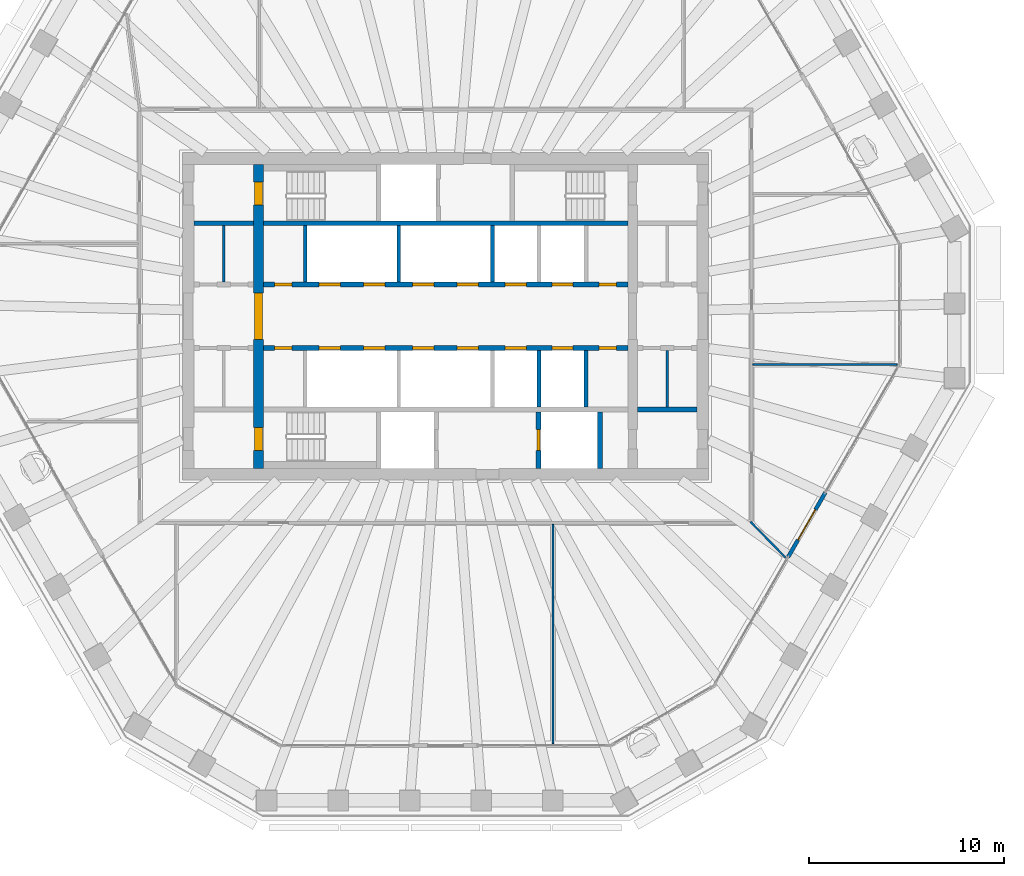
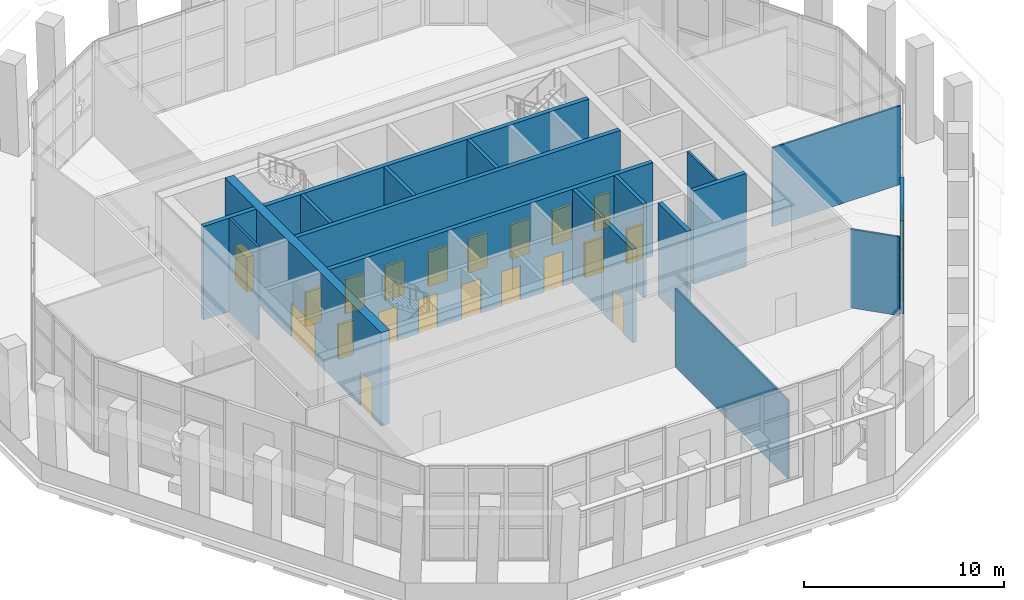
# One storey, part 13 of 19: 21 doors, 19 walls, 1 window, 22 openings.
"""IFC4 building model written with IfcOpenShell, lengths in metres."""

import ifcopenshell
import ifcopenshell.guid

model = None  # the IFC model being written
_history = None  # IfcOwnerHistory: only IFC2X3 demands one
_inside = {}  # id of a spatial element -> (the spatial element, [elements in it])
_under = {}  # id of a project, library or spatial element -> (it, [spatial elements below it])
_declared = {}  # id of a project -> (the project, [libraries it declares])
_typed = {}  # id of a type object -> (the type object, [elements of that type])
_made_of = {}  # id of a material, layer set ... -> (it, [elements and type objects made of it])


def new_model(schema):
    """Start an empty IFC model of exactly this schema.

    Asked for "IFC4X3", IfcOpenShell would pick the latest addendum, in which some entities
    have other attributes; the version numbers below select the first issue.
    IFC2X3 requires an IfcOwnerHistory on every rooted entity: one is made here for all.
    """
    global model, _history
    if schema == "IFC4X3":
        model = ifcopenshell.file(schema_version=(4, 3, 0, 0))
    else:
        model = ifcopenshell.file(schema=schema)
    _inside.clear()
    _under.clear()
    _declared.clear()
    _typed.clear()
    _made_of.clear()
    _history = None
    if model.schema == "IFC2X3":
        org = make("IfcOrganization", Name="unknown")
        user = make(
            "IfcPersonAndOrganization",
            ThePerson=make("IfcPerson", FamilyName="unknown"),
            TheOrganization=org,
        )
        app = make(
            "IfcApplication",
            ApplicationDeveloper=org,
            Version="unknown",
            ApplicationFullName="unknown",
            ApplicationIdentifier="unknown",
        )
        _history = make(
            "IfcOwnerHistory",
            OwningUser=user,
            OwningApplication=app,
            ChangeAction="ADDED",
            CreationDate=0,
        )
    return model


def make(cls, **values):
    """One entity of the class cls with the attributes given. An attribute that is None is left unset."""
    return model.create_entity(
        cls, **{name: value for name, value in values.items() if value is not None}
    )


def rooted(cls, **values):
    """An entity with a GlobalId (a new one), such as an element, a storey or a relation."""
    return make(cls, GlobalId=ifcopenshell.guid.new(), OwnerHistory=_history, **values)


def si_unit(unit_type, name, prefix=None):
    """IfcSIUnit, for example si_unit("LENGTHUNIT", "METRE", prefix="MILLI")."""
    return make("IfcSIUnit", UnitType=unit_type, Prefix=prefix, Name=name)


def assignment(units):
    """IfcUnitAssignment: the units of a project."""
    return None if units is None else make("IfcUnitAssignment", Units=units)


def point(xyz):
    """IfcCartesianPoint."""
    return None if xyz is None else make("IfcCartesianPoint", Coordinates=xyz)


def direction(xyz):
    """IfcDirection."""
    return None if xyz is None else make("IfcDirection", DirectionRatios=xyz)


def frame(location, z_axis=None, x_axis=None):
    """IfcAxis2Placement3D, a coordinate frame: its origin and axes. An axis left out is left unset."""
    return make(
        "IfcAxis2Placement3D",
        Location=point(location),
        Axis=direction(z_axis),
        RefDirection=direction(x_axis),
    )


def frame_2d(location, x_axis=None):
    """IfcAxis2Placement2D, a coordinate frame in the plane: its origin and x axis."""
    return make(
        "IfcAxis2Placement2D", Location=point(location), RefDirection=direction(x_axis)
    )


def origin():
    """The frame at (0, 0, 0) with its axes left unset."""
    return frame((0.0, 0.0, 0.0))


def place(relative_to, where):
    """IfcLocalPlacement: puts the frame where relative to a parent placement (None: the world)."""
    return make(
        "IfcLocalPlacement", PlacementRelTo=relative_to, RelativePlacement=where
    )


def context(
    kind, dimensions, precision=None, world=None, true_north=None, identifier=None
):
    """IfcGeometricRepresentationContext, for example the 3D "Model" context."""
    return make(
        "IfcGeometricRepresentationContext",
        ContextIdentifier=identifier,
        ContextType=kind,
        CoordinateSpaceDimension=dimensions,
        Precision=precision,
        WorldCoordinateSystem=world,
        TrueNorth=true_north,
    )


def subcontext(parent, identifier, kind, view, scale=None):
    """IfcGeometricRepresentationSubContext, for example "Body" below "Model"."""
    return make(
        "IfcGeometricRepresentationSubContext",
        ContextIdentifier=identifier,
        ContextType=kind,
        ParentContext=parent,
        TargetScale=scale,
        TargetView=view,
    )


def project(units=None, contexts=None):
    """IfcProject with its units and contexts."""
    return rooted(
        "IfcProject",
        Name="project",
        RepresentationContexts=contexts,
        UnitsInContext=assignment(units),
    )


def spatial(cls, under=None, at=None, **own):
    """A site, building, storey or space (cls), placed at a placement, below another one or the project."""
    s = rooted(cls, ObjectPlacement=at, **own)
    if under is not None:
        _under.setdefault(under.id(), (under, []))[1].append(s)
    return s


def profile(cls, at=None, kind="AREA", **sizes):
    """A parametric profile (cls). Its sizes go by their IFC names, for example OverallWidth=200.0."""
    return make(cls, ProfileType=kind, Position=at, **sizes)


def rectangle(**sizes):
    """IfcRectangleProfileDef."""
    return profile("IfcRectangleProfileDef", **sizes)


def extrude(swept, where, along, depth):
    """IfcExtrudedAreaSolid: the profile swept, set in the frame where, extruded along a direction by depth."""
    return make(
        "IfcExtrudedAreaSolid",
        SweptArea=swept,
        Position=where,
        ExtrudedDirection=direction(along),
        Depth=depth,
    )


def shape(context_of_items, identifier, shape_type, items):
    """IfcShapeRepresentation: the items that make up one representation, for example the "Body"."""
    return make(
        "IfcShapeRepresentation",
        ContextOfItems=context_of_items,
        RepresentationIdentifier=identifier,
        RepresentationType=shape_type,
        Items=items,
    )


def material(Name=None, Category=None):
    """IfcMaterial."""
    return make("IfcMaterial", Name=Name, Category=Category)


def layer(
    of_material, thickness, ventilated=None, Name=None, Category=None, Priority=None
):
    """IfcMaterialLayer: one layer of a wall or slab, of a material (None: an air gap)."""
    return make(
        "IfcMaterialLayer",
        Material=of_material,
        LayerThickness=thickness,
        IsVentilated=ventilated,
        Name=Name,
        Category=Category,
        Priority=Priority,
    )


def layer_set(layers, Name=None):
    """IfcMaterialLayerSet."""
    return make("IfcMaterialLayerSet", MaterialLayers=layers, LayerSetName=Name)


def made_of(thing, what):
    """Note that an element or type object is made of a material, layer set ...; save() writes the relation."""
    if what is not None:
        _made_of.setdefault(what.id(), (what, []))[1].append(thing)
    return thing


def type_object(cls, material=None, **own):
    """A type object (cls), such as IfcWallType, which elements share."""
    return made_of(rooted(cls, **own), material)


def element(
    cls,
    number,
    at=None,
    inside=None,
    cuts=None,
    type_object=None,
    material=None,
    context=None,
    identifier="Body",
    shape_type=None,
    held_by="IfcProductDefinitionShape",
    body=None,
    shapes=None,
    **own,
):
    """One element of the class cls, such as IfcWall. Its Tag is "e" and its number.

    at: its placement. inside: the storey or other place that contains it. cuts: it is an
    opening in that element (IfcRelVoidsElement). A single representation is given by context,
    identifier, shape_type and body (its items); several are given by shapes. held_by: the class
    of the entity that holds the representations. save() writes the other relations.
    """
    e = rooted(cls, Tag="e%d" % number, ObjectPlacement=at, **own)
    if body is not None:
        shapes = [shape(context, identifier, shape_type, body)]
    if shapes is not None:
        e.Representation = make(held_by, Representations=shapes)
    if inside is not None:
        _inside.setdefault(inside.id(), (inside, []))[1].append(e)
    if cuts is not None:
        rooted(
            "IfcRelVoidsElement", RelatingBuildingElement=cuts, RelatedOpeningElement=e
        )
    if type_object is not None:
        _typed.setdefault(type_object.id(), (type_object, []))[1].append(e)
    return made_of(e, material)


def fill(opening, filler):
    """IfcRelFillsElement: the door or window that sits in an opening."""
    return rooted(
        "IfcRelFillsElement",
        RelatingOpeningElement=opening,
        RelatedBuildingElement=filler,
    )


def aggregate(whole, parts):
    """IfcRelAggregates: a whole, such as a stair, and the parts it consists of."""
    return rooted("IfcRelAggregates", RelatingObject=whole, RelatedObjects=parts)


def save(model, path):
    """Write the relations noted so far, then the file.

    IfcRelAggregates (storeys below a building ...), IfcRelContainedInSpatialStructure (elements
    in a storey), IfcRelDefinesByType, IfcRelAssociatesMaterial and IfcRelDeclares: one each for
    every whole, place, type object, material and project.
    """
    for whole, parts in _under.values():
        aggregate(whole, parts)
    for where, things in _inside.values():
        rooted(
            "IfcRelContainedInSpatialStructure",
            RelatedElements=things,
            RelatingStructure=where,
        )
    for kind, things in _typed.values():
        rooted("IfcRelDefinesByType", RelatedObjects=things, RelatingType=kind)
    for what, things in _made_of.values():
        rooted("IfcRelAssociatesMaterial", RelatedObjects=things, RelatingMaterial=what)
    for by, libraries in _declared.values():
        rooted("IfcRelDeclares", RelatingContext=by, RelatedDefinitions=libraries)
    model.write(path)


model = new_model("IFC4")

# Units and contexts
model_context = context("Model", 3, precision=1e-05, world=origin(), true_north=direction((0.0, 1.0)))
body_context = subcontext(model_context, "Body", "Model", "MODEL_VIEW")
ifc_project = project(units=[si_unit("LENGTHUNIT", "METRE"), si_unit("AREAUNIT", "SQUARE_METRE"), si_unit("VOLUMEUNIT", "CUBIC_METRE"), si_unit("PLANEANGLEUNIT", "RADIAN"), si_unit("MASSUNIT", "GRAM", prefix="KILO")], contexts=[model_context])

# Site, building, storey
site_placement = place(None, origin())
site = spatial("IfcSite", under=ifc_project, at=site_placement, CompositionType="ELEMENT")
building_placement = place(site_placement, origin())
building = spatial("IfcBuilding", under=site, at=building_placement, Name="Frailejon Research Tower", CompositionType="ELEMENT")
storey_placement = place(building_placement, frame((0.0, 0.0, 231.39990234375)))
storey = spatial("IfcBuildingStorey", under=building, at=storey_placement, Name="L50", CompositionType="ELEMENT", Elevation=231.39990234375)

# Walls
ifc_material_1 = material(Name="Plasterboard on steel studs", Category="steel")
ifc_layer_1 = layer(ifc_material_1, 0.125)
ifc_layer_set_1 = layer_set([ifc_layer_1], Name="Core partition 125")
wall_type_1 = type_object("IfcWallType", Name="Core partition 125", PredefinedType="PARTITIONING", material=ifc_layer_set_1)
for number, where, z_axis, x_axis, name in (
    (1, (-11.375, 1.75, 0.0), (0.0, 0.0, 1.0), (0.0, 1.0, 0.0), "Core partition"),
    (2, (11.375, -4.64990234375, 0.0), (0.0, 0.0, 1.0), (0.0, 1.0, 0.0), "Core partition"),
):
    element("IfcWall", number, at=place(storey_placement, frame(where, z_axis=z_axis, x_axis=x_axis)), inside=storey, type_object=wall_type_1, Name=name, PredefinedType="PARTITIONING", context=body_context, shape_type="SweptSolid", body=[
        extrude(rectangle(XDim=2.89990234375, YDim=0.125, at=frame_2d((1.449951171875, 0.0))), origin(), (0.0, 0.0, 1.0), 5.7001953125),
    ])

# Wall, openings, doors
ifc_material_2 = material(Name="Concrete C60/75", Category="concrete")
ifc_layer_2 = layer(ifc_material_2, 0.5)
ifc_layer_set_2 = layer_set([ifc_layer_2], Name="Core shear wall 500 C60/75")
wall_type_2 = type_object("IfcWallType", Name="Core shear wall 500 C60/75", PredefinedType="SHEAR", material=ifc_layer_set_2)
wall_1_placement = place(storey_placement, frame((-9.60009765625, -7.800048828125, 0.0), z_axis=(0.0, 0.0, 1.0), x_axis=(0.0, 1.0, 0.0)))
wall_1 = element("IfcWall", 3, at=wall_1_placement, inside=storey, type_object=wall_type_2, Name="Core shear wall", PredefinedType="SHEAR", context=body_context, shape_type="SweptSolid", body=[
    extrude(rectangle(XDim=15.60009765625, YDim=0.5, at=frame_2d((7.800048828125, 0.0))), origin(), (0.0, 0.0, 1.0), 5.7001953125),
])
opening_1_placement = place(wall_1_placement, frame((6.60009765625, 0.0, 0.0)))
opening_1 = element("IfcOpeningElement", 4, at=opening_1_placement, cuts=wall_1, Name="Opening D2", PredefinedType="OPENING", context=body_context, shape_type="SweptSolid", body=[
    extrude(rectangle(XDim=2.39990234375, YDim=2.10009765625, at=frame_2d((1.199951171875, 1.050048828125))), frame((0.0, 0.260009765625, 0.0), z_axis=(0.0, -1.0, 0.0), x_axis=(1.0, 0.0, 0.0)), (0.0, 0.0, 1.0), 0.52001953125),
])
opening_2_placement = place(wall_1_placement, frame((13.5, 0.0, 0.0)))
opening_2 = element("IfcOpeningElement", 5, at=opening_2_placement, cuts=wall_1, Name="Opening D1", PredefinedType="OPENING", context=body_context, shape_type="SweptSolid", body=[
    extrude(rectangle(XDim=1.199951171875, YDim=2.10009765625, at=frame_2d((0.60009765625, 1.050048828125))), frame((0.0, 0.260009765625, 0.0), z_axis=(0.0, -1.0, 0.0), x_axis=(1.0, 0.0, 0.0)), (0.0, 0.0, 1.0), 0.52001953125),
])
opening_3_placement = place(wall_1_placement, frame((0.89990234375, 0.0, 0.0)))
opening_3 = element("IfcOpeningElement", 6, at=opening_3_placement, cuts=wall_1, Name="Opening D1", PredefinedType="OPENING", context=body_context, shape_type="SweptSolid", body=[
    extrude(rectangle(XDim=1.199951171875, YDim=2.10009765625, at=frame_2d((0.60009765625, 1.050048828125))), frame((0.0, 0.260009765625, 0.0), z_axis=(0.0, -1.0, 0.0), x_axis=(1.0, 0.0, 0.0)), (0.0, 0.0, 1.0), 0.52001953125),
])
ifc_material_3 = material(Name="Steel", Category="steel")
door_type_1 = type_object("IfcDoorType", Name="Lobby double door", OperationType="DOUBLE_DOOR_SINGLE_SWING", PredefinedType="DOOR", material=ifc_material_3)
door_1_placement = place(opening_1_placement, origin())
door_1 = element("IfcDoor", 7, at=door_1_placement, inside=storey, type_object=door_type_1, Name="Lobby door", OperationType="DOUBLE_DOOR_SINGLE_SWING", OverallHeight=2.10009765625, OverallWidth=2.39990234375, PredefinedType="DOOR", context=body_context, shape_type="SweptSolid", body=[
    extrude(rectangle(XDim=2.39990234375, YDim=2.10009765625, at=frame_2d((1.199951171875, 1.050048828125))), frame((0.0, 0.199951171875, 0.0), z_axis=(0.0, -1.0, 0.0), x_axis=(1.0, 0.0, 0.0)), (0.0, 0.0, 1.0), 0.39990234375),
])
fill(opening_1, door_1)
ifc_material_4 = material(Name="Steel", Category="steel")
door_type_2 = type_object("IfcDoorType", Name="Stair door", OperationType="SINGLE_SWING_LEFT", PredefinedType="DOOR", material=ifc_material_4)
door_2_placement = place(opening_2_placement, origin())
door_2 = element("IfcDoor", 8, at=door_2_placement, inside=storey, type_object=door_type_2, Name="Stair door ST1", OperationType="SINGLE_SWING_RIGHT", OverallHeight=2.10009765625, OverallWidth=1.199951171875, PredefinedType="DOOR", context=body_context, shape_type="SweptSolid", body=[
    extrude(rectangle(XDim=1.199951171875, YDim=2.10009765625, at=frame_2d((0.60009765625, 1.050048828125))), frame((0.0, 0.199951171875, 0.0), z_axis=(0.0, -1.0, 0.0), x_axis=(1.0, 0.0, 0.0)), (0.0, 0.0, 1.0), 0.39990234375),
])
fill(opening_2, door_2)
door_3_placement = place(opening_3_placement, origin())
door_3 = element("IfcDoor", 9, at=door_3_placement, inside=storey, type_object=door_type_2, Name="Stair door ST2", OperationType="SINGLE_SWING_RIGHT", OverallHeight=2.10009765625, OverallWidth=1.199951171875, PredefinedType="DOOR", context=body_context, shape_type="SweptSolid", body=[
    extrude(rectangle(XDim=1.199951171875, YDim=2.10009765625, at=frame_2d((0.60009765625, 1.050048828125))), frame((0.0, 0.199951171875, 0.0), z_axis=(0.0, -1.0, 0.0), x_axis=(1.0, 0.0, 0.0)), (0.0, 0.0, 1.0), 0.39990234375),
])
fill(opening_3, door_3)

# Walls
ifc_material_5 = material(Name="Gypsum board and masonry partition", Category="masonry")
ifc_layer_3 = layer(ifc_material_5, 0.10009765625)
ifc_layer_set_3 = layer_set([ifc_layer_3], Name="Partition, gypsum on steel studs 100")
wall_type_3 = type_object("IfcWallType", Name="Partition, gypsum on steel studs 100", PredefinedType="PARTITIONING", material=ifc_layer_set_3)
wall_2_placement = place(storey_placement, frame((15.77490234375, -2.474609375, 0.0), z_axis=(0.0, 0.0, 1.0), x_axis=(1.0, 0.0, 0.0)))
element("IfcWall", 10, at=wall_2_placement, inside=storey, type_object=wall_type_3, Name="T:IW:L50:006", PredefinedType="PARTITIONING", context=body_context, shape_type="SweptSolid", body=[
    extrude(rectangle(XDim=7.391357421875, YDim=0.10009765625, at=frame_2d((3.69580078125, 0.0))), origin(), (0.0, 0.0, 1.0), 4.800048828125),
])
wall_3_placement = place(storey_placement, frame((5.51416015625, -21.928466796875, 0.0), z_axis=(0.0, 0.0, 1.0), x_axis=(0.0, 1.0, 0.0)))
element("IfcWall", 11, at=wall_3_placement, inside=storey, type_object=wall_type_3, Name="T:IW:L50:013", PredefinedType="PARTITIONING", context=body_context, shape_type="SweptSolid", body=[
    extrude(rectangle(XDim=11.25341796875, YDim=0.10009765625, at=frame_2d((5.626708984375, 0.0))), origin(), (0.0, 0.0, 1.0), 4.800048828125),
])
wall_4_placement = place(storey_placement, frame((15.6474609375, -10.54638671875, 0.0), z_axis=(0.0, 0.0, 1.0), x_axis=(0.69989853949, -0.714242279916, 0.0)))
element("IfcWall", 12, at=wall_4_placement, inside=storey, type_object=wall_type_3, Name="T:IW:L50:014", PredefinedType="PARTITIONING", context=body_context, shape_type="SweptSolid", body=[
    extrude(rectangle(XDim=2.570068359375, YDim=0.10009765625, at=frame_2d((1.28515625, 0.0))), origin(), (0.0, 0.0, 1.0), 4.800048828125),
])
ifc_material_6 = material(Name="Concrete C60/75", Category="concrete")
ifc_layer_4 = layer(ifc_material_6, 0.199951171875)
ifc_layer_set_4 = layer_set([ifc_layer_4], Name="Shaft wall 200 C60/75")
wall_type_4 = type_object("IfcWallType", Name="Shaft wall 200 C60/75", PredefinedType="SOLIDWALL", material=ifc_layer_set_4)
for number, where, z_axis, x_axis, name in (
    (13, (-7.199951171875, 1.75, 0.0), (0.0, 0.0, 1.0), (0.0, 1.0, 0.0), "Shaft wall"),
    (14, (-2.39990234375, 1.75, 0.0), (0.0, 0.0, 1.0), (0.0, 1.0, 0.0), "Shaft wall"),
    (15, (2.39990234375, 1.75, 0.0), (0.0, 0.0, 1.0), (0.0, 1.0, 0.0), "Shaft wall"),
    (16, (4.800048828125, -4.64990234375, 0.0), (0.0, 0.0, 1.0), (0.0, 1.0, 0.0), "Shaft wall"),
    (17, (7.199951171875, -4.64990234375, 0.0), (0.0, 0.0, 1.0), (0.0, 1.0, 0.0), "Shaft wall"),
):
    element("IfcWall", number, at=place(storey_placement, frame(where, z_axis=z_axis, x_axis=x_axis)), inside=storey, type_object=wall_type_4, Name=name, PredefinedType="SOLIDWALL", context=body_context, shape_type="SweptSolid", body=[
        extrude(rectangle(XDim=2.89990234375, YDim=0.199951171875, at=frame_2d((1.449951171875, 0.0))), origin(), (0.0, 0.0, 1.0), 5.7001953125),
    ])

# Wall, openings, doors
ifc_material_7 = material(Name="Concrete C60/75", Category="concrete")
ifc_layer_5 = layer(ifc_material_7, 0.25)
ifc_layer_set_5 = layer_set([ifc_layer_5], Name="Shaft wall 250 C60/75")
wall_type_5 = type_object("IfcWallType", Name="Shaft wall 250 C60/75", PredefinedType="SOLIDWALL", material=ifc_layer_set_5)
wall_5_placement = place(storey_placement, frame((-9.35009765625, 1.625, 0.0), z_axis=(0.0, 0.0, 1.0), x_axis=(1.0, 0.0, 0.0)))
wall_5 = element("IfcWall", 18, at=wall_5_placement, inside=storey, type_object=wall_type_5, Name="Shaft wall", PredefinedType="SOLIDWALL", context=body_context, shape_type="SweptSolid", body=[
    extrude(rectangle(XDim=18.7001953125, YDim=0.25, at=frame_2d((9.35009765625, 0.0))), origin(), (0.0, 0.0, 1.0), 5.7001953125),
])
opening_4_placement = place(wall_5_placement, frame((2.85009765625, 0.0, 0.0)))
opening_4 = element("IfcOpeningElement", 19, at=opening_4_placement, cuts=wall_5, Name="Opening LD", PredefinedType="OPENING", context=body_context, shape_type="SweptSolid", body=[
    extrude(rectangle(XDim=1.10009765625, YDim=2.10009765625, at=frame_2d((0.550048828125, 1.050048828125))), frame((0.0, 0.135009765625, 0.0), z_axis=(0.0, -1.0, 0.0), x_axis=(1.0, 0.0, 0.0)), (0.0, 0.0, 1.0), 0.27001953125),
])
opening_5_placement = place(wall_5_placement, frame((5.14990234375, 0.0, 0.0)))
opening_5 = element("IfcOpeningElement", 20, at=opening_5_placement, cuts=wall_5, Name="Opening LD", PredefinedType="OPENING", context=body_context, shape_type="SweptSolid", body=[
    extrude(rectangle(XDim=1.10009765625, YDim=2.10009765625, at=frame_2d((0.550048828125, 1.050048828125))), frame((0.0, 0.135009765625, 0.0), z_axis=(0.0, -1.0, 0.0), x_axis=(1.0, 0.0, 0.0)), (0.0, 0.0, 1.0), 0.27001953125),
])
opening_6_placement = place(wall_5_placement, frame((7.64990234375, 0.0, 0.0)))
opening_6 = element("IfcOpeningElement", 21, at=opening_6_placement, cuts=wall_5, Name="Opening LD", PredefinedType="OPENING", context=body_context, shape_type="SweptSolid", body=[
    extrude(rectangle(XDim=1.10009765625, YDim=2.10009765625, at=frame_2d((0.550048828125, 1.050048828125))), frame((0.0, 0.135009765625, 0.0), z_axis=(0.0, -1.0, 0.0), x_axis=(1.0, 0.0, 0.0)), (0.0, 0.0, 1.0), 0.27001953125),
])
opening_7_placement = place(wall_5_placement, frame((9.949951171875, 0.0, 0.0)))
opening_7 = element("IfcOpeningElement", 22, at=opening_7_placement, cuts=wall_5, Name="Opening LD", PredefinedType="OPENING", context=body_context, shape_type="SweptSolid", body=[
    extrude(rectangle(XDim=1.10009765625, YDim=2.10009765625, at=frame_2d((0.550048828125, 1.050048828125))), frame((0.0, 0.135009765625, 0.0), z_axis=(0.0, -1.0, 0.0), x_axis=(1.0, 0.0, 0.0)), (0.0, 0.0, 1.0), 0.27001953125),
])
opening_8_placement = place(wall_5_placement, frame((12.39990234375, 0.0, 0.0)))
opening_8 = element("IfcOpeningElement", 23, at=opening_8_placement, cuts=wall_5, Name="Opening LD", PredefinedType="OPENING", context=body_context, shape_type="SweptSolid", body=[
    extrude(rectangle(XDim=1.10009765625, YDim=2.10009765625, at=frame_2d((0.550048828125, 1.050048828125))), frame((0.0, 0.135009765625, 0.0), z_axis=(0.0, -1.0, 0.0), x_axis=(1.0, 0.0, 0.0)), (0.0, 0.0, 1.0), 0.27001953125),
])
opening_9_placement = place(wall_5_placement, frame((14.800048828125, 0.0, 0.0)))
opening_9 = element("IfcOpeningElement", 24, at=opening_9_placement, cuts=wall_5, Name="Opening LD", PredefinedType="OPENING", context=body_context, shape_type="SweptSolid", body=[
    extrude(rectangle(XDim=1.10009765625, YDim=2.10009765625, at=frame_2d((0.550048828125, 1.050048828125))), frame((0.0, 0.135009765625, 0.0), z_axis=(0.0, -1.0, 0.0), x_axis=(1.0, 0.0, 0.0)), (0.0, 0.0, 1.0), 0.27001953125),
])
opening_10_placement = place(wall_5_placement, frame((0.574951171875, 0.0, 0.0)))
opening_10 = element("IfcOpeningElement", 25, at=opening_10_placement, cuts=wall_5, Name="Opening D8", PredefinedType="OPENING", context=body_context, shape_type="SweptSolid", body=[
    extrude(rectangle(XDim=0.89990234375, YDim=2.10009765625, at=frame_2d((0.449951171875, 1.050048828125))), frame((0.0, 0.135009765625, 0.0), z_axis=(0.0, -1.0, 0.0), x_axis=(1.0, 0.0, 0.0)), (0.0, 0.0, 1.0), 0.27001953125),
])
opening_11_placement = place(wall_5_placement, frame((17.22509765625, 0.0, 0.0)))
opening_11 = element("IfcOpeningElement", 26, at=opening_11_placement, cuts=wall_5, Name="Opening D8", PredefinedType="OPENING", context=body_context, shape_type="SweptSolid", body=[
    extrude(rectangle(XDim=0.89990234375, YDim=2.10009765625, at=frame_2d((0.449951171875, 1.050048828125))), frame((0.0, 0.135009765625, 0.0), z_axis=(0.0, -1.0, 0.0), x_axis=(1.0, 0.0, 0.0)), (0.0, 0.0, 1.0), 0.27001953125),
])
ifc_material_8 = material(Name="Steel", Category="steel")
door_type_3 = type_object("IfcDoorType", Name="Core room door", OperationType="SINGLE_SWING_LEFT", PredefinedType="DOOR", material=ifc_material_8)
door_4_placement = place(opening_10_placement, origin())
door_4 = element("IfcDoor", 27, at=door_4_placement, inside=storey, type_object=door_type_3, Name="Room door", OperationType="SINGLE_SWING_RIGHT", OverallHeight=2.10009765625, OverallWidth=0.89990234375, PredefinedType="DOOR", context=body_context, shape_type="SweptSolid", body=[
    extrude(rectangle(XDim=0.89990234375, YDim=2.10009765625, at=frame_2d((0.449951171875, 1.050048828125))), frame((0.0, 0.074951171875, 0.0), z_axis=(0.0, -1.0, 0.0), x_axis=(1.0, 0.0, 0.0)), (0.0, 0.0, 1.0), 0.14990234375),
])
fill(opening_10, door_4)
door_5_placement = place(opening_11_placement, origin())
door_5 = element("IfcDoor", 28, at=door_5_placement, inside=storey, type_object=door_type_3, Name="Room door", OperationType="SINGLE_SWING_LEFT", OverallHeight=2.10009765625, OverallWidth=0.89990234375, PredefinedType="DOOR", context=body_context, shape_type="SweptSolid", body=[
    extrude(rectangle(XDim=0.89990234375, YDim=2.10009765625, at=frame_2d((0.449951171875, 1.050048828125))), frame((0.0, 0.074951171875, 0.0), z_axis=(0.0, -1.0, 0.0), x_axis=(1.0, 0.0, 0.0)), (0.0, 0.0, 1.0), 0.14990234375),
])
fill(opening_11, door_5)
ifc_material_9 = material(Name="Steel", Category="steel")
door_type_4 = type_object("IfcDoorType", Name="Lift landing door", OperationType="DOUBLE_DOOR_SLIDING", PredefinedType="DOOR", material=ifc_material_9)
door_6_placement = place(opening_4_placement, origin())
door_6 = element("IfcDoor", 29, at=door_6_placement, inside=storey, type_object=door_type_4, Name="Lift landing door", OperationType="DOUBLE_DOOR_SLIDING", OverallHeight=2.10009765625, OverallWidth=1.10009765625, PredefinedType="DOOR", context=body_context, shape_type="SweptSolid", body=[
    extrude(rectangle(XDim=1.10009765625, YDim=2.10009765625, at=frame_2d((0.550048828125, 1.050048828125))), frame((0.0, 0.074951171875, 0.0), z_axis=(0.0, -1.0, 0.0), x_axis=(1.0, 0.0, 0.0)), (0.0, 0.0, 1.0), 0.14990234375),
])
fill(opening_4, door_6)
door_7_placement = place(opening_5_placement, origin())
door_7 = element("IfcDoor", 30, at=door_7_placement, inside=storey, type_object=door_type_4, Name="Lift landing door", OperationType="DOUBLE_DOOR_SLIDING", OverallHeight=2.10009765625, OverallWidth=1.10009765625, PredefinedType="DOOR", context=body_context, shape_type="SweptSolid", body=[
    extrude(rectangle(XDim=1.10009765625, YDim=2.10009765625, at=frame_2d((0.550048828125, 1.050048828125))), frame((0.0, 0.074951171875, 0.0), z_axis=(0.0, -1.0, 0.0), x_axis=(1.0, 0.0, 0.0)), (0.0, 0.0, 1.0), 0.14990234375),
])
fill(opening_5, door_7)
door_8_placement = place(opening_6_placement, origin())
door_8 = element("IfcDoor", 31, at=door_8_placement, inside=storey, type_object=door_type_4, Name="Lift landing door", OperationType="DOUBLE_DOOR_SLIDING", OverallHeight=2.10009765625, OverallWidth=1.10009765625, PredefinedType="DOOR", context=body_context, shape_type="SweptSolid", body=[
    extrude(rectangle(XDim=1.10009765625, YDim=2.10009765625, at=frame_2d((0.550048828125, 1.050048828125))), frame((0.0, 0.074951171875, 0.0), z_axis=(0.0, -1.0, 0.0), x_axis=(1.0, 0.0, 0.0)), (0.0, 0.0, 1.0), 0.14990234375),
])
fill(opening_6, door_8)
door_9_placement = place(opening_7_placement, origin())
door_9 = element("IfcDoor", 32, at=door_9_placement, inside=storey, type_object=door_type_4, Name="Lift landing door", OperationType="DOUBLE_DOOR_SLIDING", OverallHeight=2.10009765625, OverallWidth=1.10009765625, PredefinedType="DOOR", context=body_context, shape_type="SweptSolid", body=[
    extrude(rectangle(XDim=1.10009765625, YDim=2.10009765625, at=frame_2d((0.550048828125, 1.050048828125))), frame((0.0, 0.074951171875, 0.0), z_axis=(0.0, -1.0, 0.0), x_axis=(1.0, 0.0, 0.0)), (0.0, 0.0, 1.0), 0.14990234375),
])
fill(opening_7, door_9)
door_10_placement = place(opening_8_placement, origin())
door_10 = element("IfcDoor", 33, at=door_10_placement, inside=storey, type_object=door_type_4, Name="Lift landing door", OperationType="DOUBLE_DOOR_SLIDING", OverallHeight=2.10009765625, OverallWidth=1.10009765625, PredefinedType="DOOR", context=body_context, shape_type="SweptSolid", body=[
    extrude(rectangle(XDim=1.10009765625, YDim=2.10009765625, at=frame_2d((0.550048828125, 1.050048828125))), frame((0.0, 0.074951171875, 0.0), z_axis=(0.0, -1.0, 0.0), x_axis=(1.0, 0.0, 0.0)), (0.0, 0.0, 1.0), 0.14990234375),
])
fill(opening_8, door_10)
door_11_placement = place(opening_9_placement, origin())
door_11 = element("IfcDoor", 34, at=door_11_placement, inside=storey, type_object=door_type_4, Name="Lift landing door", OperationType="DOUBLE_DOOR_SLIDING", OverallHeight=2.10009765625, OverallWidth=1.10009765625, PredefinedType="DOOR", context=body_context, shape_type="SweptSolid", body=[
    extrude(rectangle(XDim=1.10009765625, YDim=2.10009765625, at=frame_2d((0.550048828125, 1.050048828125))), frame((0.0, 0.074951171875, 0.0), z_axis=(0.0, -1.0, 0.0), x_axis=(1.0, 0.0, 0.0)), (0.0, 0.0, 1.0), 0.14990234375),
])
fill(opening_9, door_11)

# Walls
wall_6_placement = place(storey_placement, frame((-12.89990234375, 4.77490234375, 0.0), z_axis=(0.0, 0.0, 1.0), x_axis=(1.0, 0.0, 0.0)))
element("IfcWall", 35, at=wall_6_placement, inside=storey, type_object=wall_type_5, Name="Shaft wall", PredefinedType="SOLIDWALL", context=body_context, shape_type="SweptSolid", body=[
    extrude(rectangle(XDim=3.0498046875, YDim=0.25, at=frame_2d((1.52490234375, 0.0))), origin(), (0.0, 0.0, 1.0), 5.7001953125),
])
wall_7_placement = place(storey_placement, frame((-9.35009765625, 4.77490234375, 0.0), z_axis=(0.0, 0.0, 1.0), x_axis=(1.0, 0.0, 0.0)))
element("IfcWall", 36, at=wall_7_placement, inside=storey, type_object=wall_type_5, Name="Shaft wall", PredefinedType="SOLIDWALL", context=body_context, shape_type="SweptSolid", body=[
    extrude(rectangle(XDim=18.7001953125, YDim=0.25, at=frame_2d((9.35009765625, 0.0))), origin(), (0.0, 0.0, 1.0), 5.7001953125),
])

# Wall, openings, doors
wall_8_placement = place(storey_placement, frame((-9.35009765625, -1.625, 0.0), z_axis=(0.0, 0.0, 1.0), x_axis=(1.0, 0.0, 0.0)))
wall_8 = element("IfcWall", 37, at=wall_8_placement, inside=storey, type_object=wall_type_5, Name="Shaft wall", PredefinedType="SOLIDWALL", context=body_context, shape_type="SweptSolid", body=[
    extrude(rectangle(XDim=18.7001953125, YDim=0.25, at=frame_2d((9.35009765625, 0.0))), origin(), (0.0, 0.0, 1.0), 5.7001953125),
])
opening_12_placement = place(wall_8_placement, frame((2.85009765625, 0.0, 0.0)))
opening_12 = element("IfcOpeningElement", 38, at=opening_12_placement, cuts=wall_8, Name="Opening LD", PredefinedType="OPENING", context=body_context, shape_type="SweptSolid", body=[
    extrude(rectangle(XDim=1.10009765625, YDim=2.10009765625, at=frame_2d((0.550048828125, 1.050048828125))), frame((0.0, 0.135009765625, 0.0), z_axis=(0.0, -1.0, 0.0), x_axis=(1.0, 0.0, 0.0)), (0.0, 0.0, 1.0), 0.27001953125),
])
opening_13_placement = place(wall_8_placement, frame((5.14990234375, 0.0, 0.0)))
opening_13 = element("IfcOpeningElement", 39, at=opening_13_placement, cuts=wall_8, Name="Opening LD", PredefinedType="OPENING", context=body_context, shape_type="SweptSolid", body=[
    extrude(rectangle(XDim=1.10009765625, YDim=2.10009765625, at=frame_2d((0.550048828125, 1.050048828125))), frame((0.0, 0.135009765625, 0.0), z_axis=(0.0, -1.0, 0.0), x_axis=(1.0, 0.0, 0.0)), (0.0, 0.0, 1.0), 0.27001953125),
])
opening_14_placement = place(wall_8_placement, frame((7.64990234375, 0.0, 0.0)))
opening_14 = element("IfcOpeningElement", 40, at=opening_14_placement, cuts=wall_8, Name="Opening LD", PredefinedType="OPENING", context=body_context, shape_type="SweptSolid", body=[
    extrude(rectangle(XDim=1.10009765625, YDim=2.10009765625, at=frame_2d((0.550048828125, 1.050048828125))), frame((0.0, 0.135009765625, 0.0), z_axis=(0.0, -1.0, 0.0), x_axis=(1.0, 0.0, 0.0)), (0.0, 0.0, 1.0), 0.27001953125),
])
opening_15_placement = place(wall_8_placement, frame((9.949951171875, 0.0, 0.0)))
opening_15 = element("IfcOpeningElement", 41, at=opening_15_placement, cuts=wall_8, Name="Opening LD", PredefinedType="OPENING", context=body_context, shape_type="SweptSolid", body=[
    extrude(rectangle(XDim=1.10009765625, YDim=2.10009765625, at=frame_2d((0.550048828125, 1.050048828125))), frame((0.0, 0.135009765625, 0.0), z_axis=(0.0, -1.0, 0.0), x_axis=(1.0, 0.0, 0.0)), (0.0, 0.0, 1.0), 0.27001953125),
])
opening_16_placement = place(wall_8_placement, frame((12.39990234375, 0.0, 0.0)))
opening_16 = element("IfcOpeningElement", 42, at=opening_16_placement, cuts=wall_8, Name="Opening LD", PredefinedType="OPENING", context=body_context, shape_type="SweptSolid", body=[
    extrude(rectangle(XDim=1.10009765625, YDim=2.10009765625, at=frame_2d((0.550048828125, 1.050048828125))), frame((0.0, 0.135009765625, 0.0), z_axis=(0.0, -1.0, 0.0), x_axis=(1.0, 0.0, 0.0)), (0.0, 0.0, 1.0), 0.27001953125),
])
opening_17_placement = place(wall_8_placement, frame((14.800048828125, 0.0, 0.0)))
opening_17 = element("IfcOpeningElement", 43, at=opening_17_placement, cuts=wall_8, Name="Opening LD", PredefinedType="OPENING", context=body_context, shape_type="SweptSolid", body=[
    extrude(rectangle(XDim=1.10009765625, YDim=2.10009765625, at=frame_2d((0.550048828125, 1.050048828125))), frame((0.0, 0.135009765625, 0.0), z_axis=(0.0, -1.0, 0.0), x_axis=(1.0, 0.0, 0.0)), (0.0, 0.0, 1.0), 0.27001953125),
])
opening_18_placement = place(wall_8_placement, frame((0.574951171875, 0.0, 0.0)))
opening_18 = element("IfcOpeningElement", 44, at=opening_18_placement, cuts=wall_8, Name="Opening D8", PredefinedType="OPENING", context=body_context, shape_type="SweptSolid", body=[
    extrude(rectangle(XDim=0.89990234375, YDim=2.10009765625, at=frame_2d((0.449951171875, 1.050048828125))), frame((0.0, 0.135009765625, 0.0), z_axis=(0.0, -1.0, 0.0), x_axis=(1.0, 0.0, 0.0)), (0.0, 0.0, 1.0), 0.27001953125),
])
opening_19_placement = place(wall_8_placement, frame((17.22509765625, 0.0, 0.0)))
opening_19 = element("IfcOpeningElement", 45, at=opening_19_placement, cuts=wall_8, Name="Opening D8", PredefinedType="OPENING", context=body_context, shape_type="SweptSolid", body=[
    extrude(rectangle(XDim=0.89990234375, YDim=2.10009765625, at=frame_2d((0.449951171875, 1.050048828125))), frame((0.0, 0.135009765625, 0.0), z_axis=(0.0, -1.0, 0.0), x_axis=(1.0, 0.0, 0.0)), (0.0, 0.0, 1.0), 0.27001953125),
])
door_12_placement = place(opening_18_placement, origin())
door_12 = element("IfcDoor", 46, at=door_12_placement, inside=storey, type_object=door_type_3, Name="Room door", OperationType="SINGLE_SWING_RIGHT", OverallHeight=2.10009765625, OverallWidth=0.89990234375, PredefinedType="DOOR", context=body_context, shape_type="SweptSolid", body=[
    extrude(rectangle(XDim=0.89990234375, YDim=2.10009765625, at=frame_2d((0.449951171875, 1.050048828125))), frame((0.0, 0.074951171875, 0.0), z_axis=(0.0, -1.0, 0.0), x_axis=(1.0, 0.0, 0.0)), (0.0, 0.0, 1.0), 0.14990234375),
])
fill(opening_18, door_12)
door_13_placement = place(opening_19_placement, origin())
door_13 = element("IfcDoor", 47, at=door_13_placement, inside=storey, type_object=door_type_3, Name="Room door", OperationType="SINGLE_SWING_LEFT", OverallHeight=2.10009765625, OverallWidth=0.89990234375, PredefinedType="DOOR", context=body_context, shape_type="SweptSolid", body=[
    extrude(rectangle(XDim=0.89990234375, YDim=2.10009765625, at=frame_2d((0.449951171875, 1.050048828125))), frame((0.0, 0.074951171875, 0.0), z_axis=(0.0, -1.0, 0.0), x_axis=(1.0, 0.0, 0.0)), (0.0, 0.0, 1.0), 0.14990234375),
])
fill(opening_19, door_13)
door_14_placement = place(opening_12_placement, origin())
door_14 = element("IfcDoor", 48, at=door_14_placement, inside=storey, type_object=door_type_4, Name="Lift landing door", OperationType="DOUBLE_DOOR_SLIDING", OverallHeight=2.10009765625, OverallWidth=1.10009765625, PredefinedType="DOOR", context=body_context, shape_type="SweptSolid", body=[
    extrude(rectangle(XDim=1.10009765625, YDim=2.10009765625, at=frame_2d((0.550048828125, 1.050048828125))), frame((0.0, 0.074951171875, 0.0), z_axis=(0.0, -1.0, 0.0), x_axis=(1.0, 0.0, 0.0)), (0.0, 0.0, 1.0), 0.14990234375),
])
fill(opening_12, door_14)
door_15_placement = place(opening_13_placement, origin())
door_15 = element("IfcDoor", 49, at=door_15_placement, inside=storey, type_object=door_type_4, Name="Lift landing door", OperationType="DOUBLE_DOOR_SLIDING", OverallHeight=2.10009765625, OverallWidth=1.10009765625, PredefinedType="DOOR", context=body_context, shape_type="SweptSolid", body=[
    extrude(rectangle(XDim=1.10009765625, YDim=2.10009765625, at=frame_2d((0.550048828125, 1.050048828125))), frame((0.0, 0.074951171875, 0.0), z_axis=(0.0, -1.0, 0.0), x_axis=(1.0, 0.0, 0.0)), (0.0, 0.0, 1.0), 0.14990234375),
])
fill(opening_13, door_15)
door_16_placement = place(opening_14_placement, origin())
door_16 = element("IfcDoor", 50, at=door_16_placement, inside=storey, type_object=door_type_4, Name="Lift landing door", OperationType="DOUBLE_DOOR_SLIDING", OverallHeight=2.10009765625, OverallWidth=1.10009765625, PredefinedType="DOOR", context=body_context, shape_type="SweptSolid", body=[
    extrude(rectangle(XDim=1.10009765625, YDim=2.10009765625, at=frame_2d((0.550048828125, 1.050048828125))), frame((0.0, 0.074951171875, 0.0), z_axis=(0.0, -1.0, 0.0), x_axis=(1.0, 0.0, 0.0)), (0.0, 0.0, 1.0), 0.14990234375),
])
fill(opening_14, door_16)
door_17_placement = place(opening_15_placement, origin())
door_17 = element("IfcDoor", 51, at=door_17_placement, inside=storey, type_object=door_type_4, Name="Lift landing door", OperationType="DOUBLE_DOOR_SLIDING", OverallHeight=2.10009765625, OverallWidth=1.10009765625, PredefinedType="DOOR", context=body_context, shape_type="SweptSolid", body=[
    extrude(rectangle(XDim=1.10009765625, YDim=2.10009765625, at=frame_2d((0.550048828125, 1.050048828125))), frame((0.0, 0.074951171875, 0.0), z_axis=(0.0, -1.0, 0.0), x_axis=(1.0, 0.0, 0.0)), (0.0, 0.0, 1.0), 0.14990234375),
])
fill(opening_15, door_17)
door_18_placement = place(opening_16_placement, origin())
door_18 = element("IfcDoor", 52, at=door_18_placement, inside=storey, type_object=door_type_4, Name="Lift landing door", OperationType="DOUBLE_DOOR_SLIDING", OverallHeight=2.10009765625, OverallWidth=1.10009765625, PredefinedType="DOOR", context=body_context, shape_type="SweptSolid", body=[
    extrude(rectangle(XDim=1.10009765625, YDim=2.10009765625, at=frame_2d((0.550048828125, 1.050048828125))), frame((0.0, 0.074951171875, 0.0), z_axis=(0.0, -1.0, 0.0), x_axis=(1.0, 0.0, 0.0)), (0.0, 0.0, 1.0), 0.14990234375),
])
fill(opening_16, door_18)
door_19_placement = place(opening_17_placement, origin())
door_19 = element("IfcDoor", 53, at=door_19_placement, inside=storey, type_object=door_type_4, Name="Lift landing door", OperationType="DOUBLE_DOOR_SLIDING", OverallHeight=2.10009765625, OverallWidth=1.10009765625, PredefinedType="DOOR", context=body_context, shape_type="SweptSolid", body=[
    extrude(rectangle(XDim=1.10009765625, YDim=2.10009765625, at=frame_2d((0.550048828125, 1.050048828125))), frame((0.0, 0.074951171875, 0.0), z_axis=(0.0, -1.0, 0.0), x_axis=(1.0, 0.0, 0.0)), (0.0, 0.0, 1.0), 0.14990234375),
])
fill(opening_17, door_19)

# Wall
wall_9_placement = place(storey_placement, frame((9.85009765625, -4.77490234375, 0.0), z_axis=(0.0, 0.0, 1.0), x_axis=(1.0, 0.0, 0.0)))
element("IfcWall", 54, at=wall_9_placement, inside=storey, type_object=wall_type_5, Name="Shaft wall", PredefinedType="SOLIDWALL", context=body_context, shape_type="SweptSolid", body=[
    extrude(rectangle(XDim=3.0498046875, YDim=0.25, at=frame_2d((1.52490234375, 0.0))), origin(), (0.0, 0.0, 1.0), 5.7001953125),
])

# Wall, opening, door
wall_10_placement = place(storey_placement, frame((4.77490234375, -7.800048828125, 0.0), z_axis=(0.0, 0.0, 1.0), x_axis=(0.0, 1.0, 0.0)))
wall_10 = element("IfcWall", 55, at=wall_10_placement, inside=storey, type_object=wall_type_5, Name="Shaft wall", PredefinedType="SOLIDWALL", context=body_context, shape_type="SweptSolid", body=[
    extrude(rectangle(XDim=2.900146484375, YDim=0.25, at=frame_2d((1.4501953125, 0.0))), origin(), (0.0, 0.0, 1.0), 5.7001953125),
])
opening_20_placement = place(wall_10_placement, frame((0.89990234375, 0.0, 0.0)))
opening_20 = element("IfcOpeningElement", 56, at=opening_20_placement, cuts=wall_10, Name="Opening LD", PredefinedType="OPENING", context=body_context, shape_type="SweptSolid", body=[
    extrude(rectangle(XDim=1.10009765625, YDim=2.10009765625, at=frame_2d((0.550048828125, 1.050048828125))), frame((0.0, 0.135009765625, 0.0), z_axis=(0.0, -1.0, 0.0), x_axis=(1.0, 0.0, 0.0)), (0.0, 0.0, 1.0), 0.27001953125),
])
door_20_placement = place(opening_20_placement, origin())
door_20 = element("IfcDoor", 57, at=door_20_placement, inside=storey, type_object=door_type_4, Name="Lift landing door", OperationType="DOUBLE_DOOR_SLIDING", OverallHeight=2.10009765625, OverallWidth=1.10009765625, PredefinedType="DOOR", context=body_context, shape_type="SweptSolid", body=[
    extrude(rectangle(XDim=1.10009765625, YDim=2.10009765625, at=frame_2d((0.550048828125, 1.050048828125))), frame((0.0, 0.074951171875, 0.0), z_axis=(0.0, -1.0, 0.0), x_axis=(1.0, 0.0, 0.0)), (0.0, 0.0, 1.0), 0.14990234375),
])
fill(opening_20, door_20)

# Wall
wall_11_placement = place(storey_placement, frame((7.925048828125, -7.800048828125, 0.0), z_axis=(0.0, 0.0, 1.0), x_axis=(0.0, 1.0, 0.0)))
element("IfcWall", 58, at=wall_11_placement, inside=storey, type_object=wall_type_5, Name="Shaft wall", PredefinedType="SOLIDWALL", context=body_context, shape_type="SweptSolid", body=[
    extrude(rectangle(XDim=2.900146484375, YDim=0.25, at=frame_2d((1.4501953125, 0.0))), origin(), (0.0, 0.0, 1.0), 5.7001953125),
])

# Wall, openings, door, window
ifc_material_10 = material(Name="Concrete C40/50 precast window wall panel", Category="concrete")
ifc_layer_6 = layer(ifc_material_10, 0.199951171875)
ifc_layer_set_6 = layer_set([ifc_layer_6], Name="Window wall 200")
wall_type_6 = type_object("IfcWallType", Name="Window wall 200", PredefinedType="SOLIDWALL", material=ifc_layer_set_6)
wall_12_placement = place(storey_placement, frame((17.580078125, -12.350341796875, 0.0), z_axis=(0.0, 0.0, 1.0), x_axis=(0.500010778468, 0.866019180744, 0.0)))
wall_12 = element("IfcWall", 59, at=wall_12_placement, inside=storey, type_object=wall_type_6, Name="Door pier L50", PredefinedType="SOLIDWALL", context=body_context, shape_type="SweptSolid", body=[
    extrude(rectangle(XDim=3.8115234375, YDim=0.199951171875, at=frame_2d((1.90576171875, 0.0))), origin(), (0.0, 0.0, 1.0), 5.7001953125),
])
opening_21_placement = place(wall_12_placement, frame((1.005615234375, 0.0, 0.0)))
opening_21 = element("IfcOpeningElement", 60, at=opening_21_placement, cuts=wall_12, Name="Opening LG50-6", PredefinedType="OPENING", context=body_context, shape_type="SweptSolid", body=[
    extrude(rectangle(XDim=1.800048828125, YDim=2.39990234375, at=frame_2d((0.89990234375, 1.199951171875))), frame((0.0, 0.10986328125, 0.0), z_axis=(0.0, -1.0, 0.0), x_axis=(1.0, 0.0, 0.0)), (0.0, 0.0, 1.0), 0.219970703125),
])
opening_22_placement = place(wall_12_placement, frame((1.005615234375, 0.0, 2.550048828125)))
opening_22 = element("IfcOpeningElement", 61, at=opening_22_placement, cuts=wall_12, Name="Opening W21", PredefinedType="OPENING", context=body_context, shape_type="SweptSolid", body=[
    extrude(rectangle(XDim=1.800048828125, YDim=2.199951171875, at=frame_2d((0.89990234375, 1.10009765625))), frame((0.0, 0.10986328125, 0.0), z_axis=(0.0, -1.0, 0.0), x_axis=(1.0, 0.0, 0.0)), (0.0, 0.0, 1.0), 0.219970703125),
])
ifc_material_11 = material(Name="Aluminium framed glazed door leaf", Category="aluminium")
door_type_5 = type_object("IfcDoorType", Name="Loggia door 1800x2400", OperationType="DOUBLE_DOOR_SINGLE_SWING", PredefinedType="DOOR", material=ifc_material_11)
door_21_placement = place(opening_21_placement, origin())
door_21 = element("IfcDoor", 62, at=door_21_placement, inside=storey, type_object=door_type_5, Name="Door LG50-6", OperationType="DOUBLE_DOOR_SINGLE_SWING", OverallHeight=2.39990234375, OverallWidth=1.800048828125, PredefinedType="DOOR", context=body_context, shape_type="SweptSolid", body=[
    extrude(rectangle(XDim=1.800048828125, YDim=2.39990234375, at=frame_2d((0.89990234375, 1.199951171875))), frame((0.0, 0.02490234375, 0.0), z_axis=(0.0, -1.0, 0.0), x_axis=(1.0, 0.0, 0.0)), (0.0, 0.0, 1.0), 0.050048828125),
])
fill(opening_21, door_21)
ifc_material_12 = material(Name="Aluminium framed double glazing", Category="aluminium")
window_type = type_object("IfcWindowType", Name="Window 1800x2200", PartitioningType="SINGLE_PANEL", PredefinedType="WINDOW", material=ifc_material_12)
window_placement = place(opening_22_placement, origin())
window = element("IfcWindow", 63, at=window_placement, inside=storey, type_object=window_type, Name="Window L50", OverallHeight=2.199951171875, OverallWidth=1.800048828125, PartitioningType="SINGLE_PANEL", PredefinedType="WINDOW", context=body_context, shape_type="SweptSolid", body=[
    extrude(rectangle(XDim=1.800048828125, YDim=2.199951171875, at=frame_2d((0.89990234375, 1.10009765625))), frame((0.0, 0.030029296875, 0.0), z_axis=(0.0, -1.0, 0.0), x_axis=(1.0, 0.0, 0.0)), (0.0, 0.0, 1.0), 0.06005859375),
])
fill(opening_22, window)

save(model, "model.ifc")
